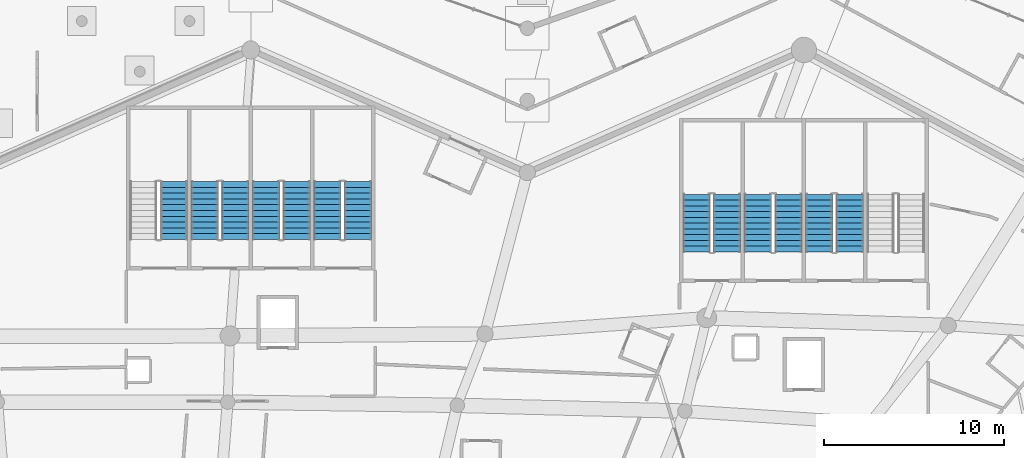
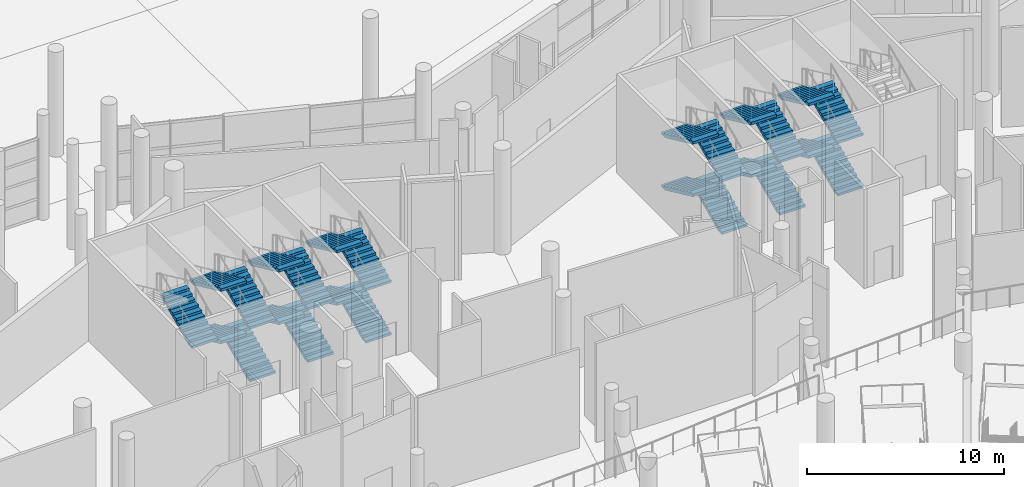
# One storey, part 180 of 255: 25 stair flights, 7 elements without a shape of their own.
"""IFC4 building model written with IfcOpenShell, lengths in metres."""

from ifc_helpers import new_model, si_unit, direction, frame, origin, place, context, subcontext, project, spatial, polyline, outline, extrude, material, type_object, element, aggregate, save


model = new_model("IFC4")

# Units and contexts
model_context = context("Model", 3, precision=1e-05, world=origin(), true_north=direction((0.0, 1.0)))
body_context = subcontext(model_context, "Body", "Model", "MODEL_VIEW")
ifc_project = project(units=[si_unit("LENGTHUNIT", "METRE"), si_unit("AREAUNIT", "SQUARE_METRE"), si_unit("VOLUMEUNIT", "CUBIC_METRE"), si_unit("PLANEANGLEUNIT", "RADIAN"), si_unit("MASSUNIT", "GRAM", prefix="KILO")], contexts=[model_context])

# Site, building, storey
site_placement = place(None, origin())
site = spatial("IfcSite", under=ifc_project, at=site_placement, CompositionType="ELEMENT")
building_placement = place(site_placement, origin())
building = spatial("IfcBuilding", under=site, at=building_placement, Name="Meseta Stadium", CompositionType="ELEMENT")
storey_placement = place(building_placement, origin())
storey = spatial("IfcBuildingStorey", under=building, at=storey_placement, Name="L00", CompositionType="ELEMENT", Elevation=0.0)

# Stair, stair flights
ifc_material_1 = material(Name="Concrete C40/50", Category="concrete")
stair_type = type_object("IfcStairType", Name="Exit stair 4 flights 148 mm risers", PredefinedType="HALF_TURN_STAIR", material=ifc_material_1)
stair_1_placement = place(storey_placement, origin())
stair_1 = element("IfcStair", 1, at=stair_1_placement, inside=storey, type_object=stair_type, Name="ST34 L00", PredefinedType="HALF_TURN_STAIR")
ifc_material_2 = material(Name="Concrete C40/50", Category="concrete")
stair_flight_type = type_object("IfcStairFlightType", Name="Exit stair flight 148 mm risers, 4 per storey", PredefinedType="STRAIGHT", material=ifc_material_2)
stair_flight_1_placement = place(storey_placement, frame((40.88330078125, 94.199951171875, 0.0), z_axis=(0.0, 0.0, 1.0), x_axis=(0.0, 1.0, 0.0)))
stair_flight_1 = element("IfcStairFlight", 2, at=stair_flight_1_placement, type_object=stair_flight_type, Name="ST34 L00 flight 1", NumberOfRisers=11, NumberOfTreads=10, PredefinedType="STRAIGHT", RiserHeight=0.147727273, TreadLength=0.32, context=body_context, shape_type="SweptSolid", body=[
    extrude(outline(polyline([(0.0, 0.0), (0.0, 0.147705078125), (0.320068359375, 0.147705078125), (0.320068359375, 0.29541015625), (0.639892578125, 0.29541015625), (0.639892578125, 0.443115234375), (0.9599609375, 0.443115234375), (0.9599609375, 0.5908203125), (1.280029296875, 0.5908203125), (1.280029296875, 0.738525390625), (1.60009765625, 0.738525390625), (1.60009765625, 0.886474609375), (1.919921875, 0.886474609375), (1.919921875, 1.0341796875), (2.239990234375, 1.0341796875), (2.239990234375, 1.181884765625), (2.56005859375, 1.181884765625), (2.56005859375, 1.32958984375), (2.8798828125, 1.32958984375), (2.8798828125, 1.477294921875), (3.199951171875, 1.477294921875), (3.199951171875, 1.312255859375), (0.357666015625, 0.0), (0.0, 0.0)])), frame((0.0, 0.75, 0.0), z_axis=(0.0, -1.0, 0.0), x_axis=(1.0, 0.0, 0.0)), (0.0, 0.0, 1.0), 1.5),
])
stair_flight_2_placement = place(storey_placement, frame((39.183349609375, 97.39990234375, 1.625), z_axis=(0.0, 0.0, 1.0), x_axis=(0.0, -1.0, 0.0)))
stair_flight_2 = element("IfcStairFlight", 3, at=stair_flight_2_placement, type_object=stair_flight_type, Name="ST34 L00 flight 2", NumberOfRisers=11, NumberOfTreads=10, PredefinedType="STRAIGHT", RiserHeight=0.147727273, TreadLength=0.32, context=body_context, shape_type="SweptSolid", body=[
    extrude(outline(polyline([(0.0, 0.0), (0.0, 0.147705078125), (0.320068359375, 0.147705078125), (0.320068359375, 0.29541015625), (0.639892578125, 0.29541015625), (0.639892578125, 0.443115234375), (0.9599609375, 0.443115234375), (0.9599609375, 0.5908203125), (1.280029296875, 0.5908203125), (1.280029296875, 0.738525390625), (1.60009765625, 0.738525390625), (1.60009765625, 0.886474609375), (1.919921875, 0.886474609375), (1.919921875, 1.0341796875), (2.239990234375, 1.0341796875), (2.239990234375, 1.181884765625), (2.56005859375, 1.181884765625), (2.56005859375, 1.32958984375), (2.8798828125, 1.32958984375), (2.8798828125, 1.477294921875), (3.199951171875, 1.477294921875), (3.199951171875, 1.312255859375), (0.357666015625, 0.0), (0.0, 0.0)])), frame((0.0, 0.75, 0.0), z_axis=(0.0, -1.0, 0.0), x_axis=(1.0, 0.0, 0.0)), (0.0, 0.0, 1.0), 1.5),
])
stair_flight_3_placement = place(storey_placement, frame((40.88330078125, 94.199951171875, 3.25), z_axis=(0.0, 0.0, 1.0), x_axis=(0.0, 1.0, 0.0)))
stair_flight_3 = element("IfcStairFlight", 4, at=stair_flight_3_placement, type_object=stair_flight_type, Name="ST34 L00 flight 3", NumberOfRisers=11, NumberOfTreads=10, PredefinedType="STRAIGHT", RiserHeight=0.147727273, TreadLength=0.32, context=body_context, shape_type="SweptSolid", body=[
    extrude(outline(polyline([(0.0, 0.0), (0.0, 0.147705078125), (0.320068359375, 0.147705078125), (0.320068359375, 0.29541015625), (0.639892578125, 0.29541015625), (0.639892578125, 0.443115234375), (0.9599609375, 0.443115234375), (0.9599609375, 0.5908203125), (1.280029296875, 0.5908203125), (1.280029296875, 0.738525390625), (1.60009765625, 0.738525390625), (1.60009765625, 0.886474609375), (1.919921875, 0.886474609375), (1.919921875, 1.0341796875), (2.239990234375, 1.0341796875), (2.239990234375, 1.181884765625), (2.56005859375, 1.181884765625), (2.56005859375, 1.32958984375), (2.8798828125, 1.32958984375), (2.8798828125, 1.477294921875), (3.199951171875, 1.477294921875), (3.199951171875, 1.312255859375), (0.357666015625, 0.0), (0.0, 0.0)])), frame((0.0, 0.75, 0.0), z_axis=(0.0, -1.0, 0.0), x_axis=(1.0, 0.0, 0.0)), (0.0, 0.0, 1.0), 1.5),
])
stair_flight_4_placement = place(storey_placement, frame((39.183349609375, 97.39990234375, 4.875), z_axis=(0.0, 0.0, 1.0), x_axis=(0.0, -1.0, 0.0)))
stair_flight_4 = element("IfcStairFlight", 5, at=stair_flight_4_placement, type_object=stair_flight_type, Name="ST34 L00 flight 4", NumberOfRisers=11, NumberOfTreads=10, PredefinedType="STRAIGHT", RiserHeight=0.147727273, TreadLength=0.32, context=body_context, shape_type="SweptSolid", body=[
    extrude(outline(polyline([(0.0, 0.0), (0.0, 0.147705078125), (0.320068359375, 0.147705078125), (0.320068359375, 0.29541015625), (0.639892578125, 0.29541015625), (0.639892578125, 0.443115234375), (0.9599609375, 0.443115234375), (0.9599609375, 0.5908203125), (1.280029296875, 0.5908203125), (1.280029296875, 0.738525390625), (1.60009765625, 0.738525390625), (1.60009765625, 0.886474609375), (1.919921875, 0.886474609375), (1.919921875, 1.0341796875), (2.239990234375, 1.0341796875), (2.239990234375, 1.181884765625), (2.56005859375, 1.181884765625), (2.56005859375, 1.32958984375), (2.8798828125, 1.32958984375), (2.8798828125, 1.477294921875), (3.199951171875, 1.477294921875), (3.199951171875, 1.312255859375), (0.357666015625, 0.0), (0.0, 0.0)])), frame((0.0, 0.75, 0.0), z_axis=(0.0, -1.0, 0.0), x_axis=(1.0, 0.0, 0.0)), (0.0, 0.0, 1.0), 1.5),
])
aggregate(stair_1, [stair_flight_1, stair_flight_2, stair_flight_3, stair_flight_4])

stair_2_placement = place(storey_placement, origin())
stair_2 = element("IfcStair", 6, at=stair_2_placement, inside=storey, type_object=stair_type, Name="ST35 L00", PredefinedType="HALF_TURN_STAIR")
stair_flight_5_placement = place(storey_placement, frame((37.4833984375, 94.199951171875, 0.0), z_axis=(0.0, 0.0, 1.0), x_axis=(0.0, 1.0, 0.0)))
stair_flight_5 = element("IfcStairFlight", 7, at=stair_flight_5_placement, type_object=stair_flight_type, Name="ST35 L00 flight 1", NumberOfRisers=11, NumberOfTreads=10, PredefinedType="STRAIGHT", RiserHeight=0.147727273, TreadLength=0.32, context=body_context, shape_type="SweptSolid", body=[
    extrude(outline(polyline([(0.0, 0.0), (0.0, 0.147705078125), (0.320068359375, 0.147705078125), (0.320068359375, 0.29541015625), (0.639892578125, 0.29541015625), (0.639892578125, 0.443115234375), (0.9599609375, 0.443115234375), (0.9599609375, 0.5908203125), (1.280029296875, 0.5908203125), (1.280029296875, 0.738525390625), (1.60009765625, 0.738525390625), (1.60009765625, 0.886474609375), (1.919921875, 0.886474609375), (1.919921875, 1.0341796875), (2.239990234375, 1.0341796875), (2.239990234375, 1.181884765625), (2.56005859375, 1.181884765625), (2.56005859375, 1.32958984375), (2.8798828125, 1.32958984375), (2.8798828125, 1.477294921875), (3.199951171875, 1.477294921875), (3.199951171875, 1.312255859375), (0.357666015625, 0.0), (0.0, 0.0)])), frame((0.0, 0.75, 0.0), z_axis=(0.0, -1.0, 0.0), x_axis=(1.0, 0.0, 0.0)), (0.0, 0.0, 1.0), 1.5),
])
stair_flight_6_placement = place(storey_placement, frame((35.783447265625, 97.39990234375, 1.625), z_axis=(0.0, 0.0, 1.0), x_axis=(0.0, -1.0, 0.0)))
stair_flight_6 = element("IfcStairFlight", 8, at=stair_flight_6_placement, type_object=stair_flight_type, Name="ST35 L00 flight 2", NumberOfRisers=11, NumberOfTreads=10, PredefinedType="STRAIGHT", RiserHeight=0.147727273, TreadLength=0.32, context=body_context, shape_type="SweptSolid", body=[
    extrude(outline(polyline([(0.0, 0.0), (0.0, 0.147705078125), (0.320068359375, 0.147705078125), (0.320068359375, 0.29541015625), (0.639892578125, 0.29541015625), (0.639892578125, 0.443115234375), (0.9599609375, 0.443115234375), (0.9599609375, 0.5908203125), (1.280029296875, 0.5908203125), (1.280029296875, 0.738525390625), (1.60009765625, 0.738525390625), (1.60009765625, 0.886474609375), (1.919921875, 0.886474609375), (1.919921875, 1.0341796875), (2.239990234375, 1.0341796875), (2.239990234375, 1.181884765625), (2.56005859375, 1.181884765625), (2.56005859375, 1.32958984375), (2.8798828125, 1.32958984375), (2.8798828125, 1.477294921875), (3.199951171875, 1.477294921875), (3.199951171875, 1.312255859375), (0.357666015625, 0.0), (0.0, 0.0)])), frame((0.0, 0.75, 0.0), z_axis=(0.0, -1.0, 0.0), x_axis=(1.0, 0.0, 0.0)), (0.0, 0.0, 1.0), 1.5),
])
stair_flight_7_placement = place(storey_placement, frame((37.4833984375, 94.199951171875, 3.25), z_axis=(0.0, 0.0, 1.0), x_axis=(0.0, 1.0, 0.0)))
stair_flight_7 = element("IfcStairFlight", 9, at=stair_flight_7_placement, type_object=stair_flight_type, Name="ST35 L00 flight 3", NumberOfRisers=11, NumberOfTreads=10, PredefinedType="STRAIGHT", RiserHeight=0.147727273, TreadLength=0.32, context=body_context, shape_type="SweptSolid", body=[
    extrude(outline(polyline([(0.0, 0.0), (0.0, 0.147705078125), (0.320068359375, 0.147705078125), (0.320068359375, 0.29541015625), (0.639892578125, 0.29541015625), (0.639892578125, 0.443115234375), (0.9599609375, 0.443115234375), (0.9599609375, 0.5908203125), (1.280029296875, 0.5908203125), (1.280029296875, 0.738525390625), (1.60009765625, 0.738525390625), (1.60009765625, 0.886474609375), (1.919921875, 0.886474609375), (1.919921875, 1.0341796875), (2.239990234375, 1.0341796875), (2.239990234375, 1.181884765625), (2.56005859375, 1.181884765625), (2.56005859375, 1.32958984375), (2.8798828125, 1.32958984375), (2.8798828125, 1.477294921875), (3.199951171875, 1.477294921875), (3.199951171875, 1.312255859375), (0.357666015625, 0.0), (0.0, 0.0)])), frame((0.0, 0.75, 0.0), z_axis=(0.0, -1.0, 0.0), x_axis=(1.0, 0.0, 0.0)), (0.0, 0.0, 1.0), 1.5),
])
stair_flight_8_placement = place(storey_placement, frame((35.783447265625, 97.39990234375, 4.875), z_axis=(0.0, 0.0, 1.0), x_axis=(0.0, -1.0, 0.0)))
stair_flight_8 = element("IfcStairFlight", 10, at=stair_flight_8_placement, type_object=stair_flight_type, Name="ST35 L00 flight 4", NumberOfRisers=11, NumberOfTreads=10, PredefinedType="STRAIGHT", RiserHeight=0.147727273, TreadLength=0.32, context=body_context, shape_type="SweptSolid", body=[
    extrude(outline(polyline([(0.0, 0.0), (0.0, 0.147705078125), (0.320068359375, 0.147705078125), (0.320068359375, 0.29541015625), (0.639892578125, 0.29541015625), (0.639892578125, 0.443115234375), (0.9599609375, 0.443115234375), (0.9599609375, 0.5908203125), (1.280029296875, 0.5908203125), (1.280029296875, 0.738525390625), (1.60009765625, 0.738525390625), (1.60009765625, 0.886474609375), (1.919921875, 0.886474609375), (1.919921875, 1.0341796875), (2.239990234375, 1.0341796875), (2.239990234375, 1.181884765625), (2.56005859375, 1.181884765625), (2.56005859375, 1.32958984375), (2.8798828125, 1.32958984375), (2.8798828125, 1.477294921875), (3.199951171875, 1.477294921875), (3.199951171875, 1.312255859375), (0.357666015625, 0.0), (0.0, 0.0)])), frame((0.0, 0.75, 0.0), z_axis=(0.0, -1.0, 0.0), x_axis=(1.0, 0.0, 0.0)), (0.0, 0.0, 1.0), 1.5),
])
aggregate(stair_2, [stair_flight_5, stair_flight_6, stair_flight_7, stair_flight_8])

stair_3_placement = place(storey_placement, origin())
stair_3 = element("IfcStair", 11, at=stair_3_placement, inside=storey, type_object=stair_type, Name="ST36 L00", PredefinedType="HALF_TURN_STAIR")
stair_flight_9_placement = place(storey_placement, frame((34.083251953125, 94.199951171875, 0.0), z_axis=(0.0, 0.0, 1.0), x_axis=(0.0, 1.0, 0.0)))
stair_flight_9 = element("IfcStairFlight", 12, at=stair_flight_9_placement, type_object=stair_flight_type, Name="ST36 L00 flight 1", NumberOfRisers=11, NumberOfTreads=10, PredefinedType="STRAIGHT", RiserHeight=0.147727273, TreadLength=0.32, context=body_context, shape_type="SweptSolid", body=[
    extrude(outline(polyline([(0.0, 0.0), (0.0, 0.147705078125), (0.320068359375, 0.147705078125), (0.320068359375, 0.29541015625), (0.639892578125, 0.29541015625), (0.639892578125, 0.443115234375), (0.9599609375, 0.443115234375), (0.9599609375, 0.5908203125), (1.280029296875, 0.5908203125), (1.280029296875, 0.738525390625), (1.60009765625, 0.738525390625), (1.60009765625, 0.886474609375), (1.919921875, 0.886474609375), (1.919921875, 1.0341796875), (2.239990234375, 1.0341796875), (2.239990234375, 1.181884765625), (2.56005859375, 1.181884765625), (2.56005859375, 1.32958984375), (2.8798828125, 1.32958984375), (2.8798828125, 1.477294921875), (3.199951171875, 1.477294921875), (3.199951171875, 1.312255859375), (0.357666015625, 0.0), (0.0, 0.0)])), frame((0.0, 0.75, 0.0), z_axis=(0.0, -1.0, 0.0), x_axis=(1.0, 0.0, 0.0)), (0.0, 0.0, 1.0), 1.5),
])
stair_flight_10_placement = place(storey_placement, frame((32.38330078125, 97.39990234375, 1.625), z_axis=(0.0, 0.0, 1.0), x_axis=(0.0, -1.0, 0.0)))
stair_flight_10 = element("IfcStairFlight", 13, at=stair_flight_10_placement, type_object=stair_flight_type, Name="ST36 L00 flight 2", NumberOfRisers=11, NumberOfTreads=10, PredefinedType="STRAIGHT", RiserHeight=0.147727273, TreadLength=0.32, context=body_context, shape_type="SweptSolid", body=[
    extrude(outline(polyline([(0.0, 0.0), (0.0, 0.147705078125), (0.320068359375, 0.147705078125), (0.320068359375, 0.29541015625), (0.639892578125, 0.29541015625), (0.639892578125, 0.443115234375), (0.9599609375, 0.443115234375), (0.9599609375, 0.5908203125), (1.280029296875, 0.5908203125), (1.280029296875, 0.738525390625), (1.60009765625, 0.738525390625), (1.60009765625, 0.886474609375), (1.919921875, 0.886474609375), (1.919921875, 1.0341796875), (2.239990234375, 1.0341796875), (2.239990234375, 1.181884765625), (2.56005859375, 1.181884765625), (2.56005859375, 1.32958984375), (2.8798828125, 1.32958984375), (2.8798828125, 1.477294921875), (3.199951171875, 1.477294921875), (3.199951171875, 1.312255859375), (0.357666015625, 0.0), (0.0, 0.0)])), frame((0.0, 0.75, 0.0), z_axis=(0.0, -1.0, 0.0), x_axis=(1.0, 0.0, 0.0)), (0.0, 0.0, 1.0), 1.5),
])
stair_flight_11_placement = place(storey_placement, frame((34.083251953125, 94.199951171875, 3.25), z_axis=(0.0, 0.0, 1.0), x_axis=(0.0, 1.0, 0.0)))
stair_flight_11 = element("IfcStairFlight", 14, at=stair_flight_11_placement, type_object=stair_flight_type, Name="ST36 L00 flight 3", NumberOfRisers=11, NumberOfTreads=10, PredefinedType="STRAIGHT", RiserHeight=0.147727273, TreadLength=0.32, context=body_context, shape_type="SweptSolid", body=[
    extrude(outline(polyline([(0.0, 0.0), (0.0, 0.147705078125), (0.320068359375, 0.147705078125), (0.320068359375, 0.29541015625), (0.639892578125, 0.29541015625), (0.639892578125, 0.443115234375), (0.9599609375, 0.443115234375), (0.9599609375, 0.5908203125), (1.280029296875, 0.5908203125), (1.280029296875, 0.738525390625), (1.60009765625, 0.738525390625), (1.60009765625, 0.886474609375), (1.919921875, 0.886474609375), (1.919921875, 1.0341796875), (2.239990234375, 1.0341796875), (2.239990234375, 1.181884765625), (2.56005859375, 1.181884765625), (2.56005859375, 1.32958984375), (2.8798828125, 1.32958984375), (2.8798828125, 1.477294921875), (3.199951171875, 1.477294921875), (3.199951171875, 1.312255859375), (0.357666015625, 0.0), (0.0, 0.0)])), frame((0.0, 0.75, 0.0), z_axis=(0.0, -1.0, 0.0), x_axis=(1.0, 0.0, 0.0)), (0.0, 0.0, 1.0), 1.5),
])
stair_flight_12_placement = place(storey_placement, frame((32.38330078125, 97.39990234375, 4.875), z_axis=(0.0, 0.0, 1.0), x_axis=(0.0, -1.0, 0.0)))
stair_flight_12 = element("IfcStairFlight", 15, at=stair_flight_12_placement, type_object=stair_flight_type, Name="ST36 L00 flight 4", NumberOfRisers=11, NumberOfTreads=10, PredefinedType="STRAIGHT", RiserHeight=0.147727273, TreadLength=0.32, context=body_context, shape_type="SweptSolid", body=[
    extrude(outline(polyline([(0.0, 0.0), (0.0, 0.147705078125), (0.320068359375, 0.147705078125), (0.320068359375, 0.29541015625), (0.639892578125, 0.29541015625), (0.639892578125, 0.443115234375), (0.9599609375, 0.443115234375), (0.9599609375, 0.5908203125), (1.280029296875, 0.5908203125), (1.280029296875, 0.738525390625), (1.60009765625, 0.738525390625), (1.60009765625, 0.886474609375), (1.919921875, 0.886474609375), (1.919921875, 1.0341796875), (2.239990234375, 1.0341796875), (2.239990234375, 1.181884765625), (2.56005859375, 1.181884765625), (2.56005859375, 1.32958984375), (2.8798828125, 1.32958984375), (2.8798828125, 1.477294921875), (3.199951171875, 1.477294921875), (3.199951171875, 1.312255859375), (0.357666015625, 0.0), (0.0, 0.0)])), frame((0.0, 0.75, 0.0), z_axis=(0.0, -1.0, 0.0), x_axis=(1.0, 0.0, 0.0)), (0.0, 0.0, 1.0), 1.5),
])
aggregate(stair_3, [stair_flight_9, stair_flight_10, stair_flight_11, stair_flight_12])

stair_4_placement = place(storey_placement, origin())
stair_4 = element("IfcStair", 16, at=stair_4_placement, inside=storey, type_object=stair_type, Name="ST37 L00", PredefinedType="HALF_TURN_STAIR")
stair_flight_13_placement = place(storey_placement, frame((13.61669921875, 94.89990234375, 0.0), z_axis=(0.0, 0.0, 1.0), x_axis=(0.0, 1.0, 0.0)))
stair_flight_13 = element("IfcStairFlight", 17, at=stair_flight_13_placement, type_object=stair_flight_type, Name="ST37 L00 flight 1", NumberOfRisers=11, NumberOfTreads=10, PredefinedType="STRAIGHT", RiserHeight=0.147727273, TreadLength=0.32, context=body_context, shape_type="SweptSolid", body=[
    extrude(outline(polyline([(0.0, 0.0), (0.0, 0.147705078125), (0.320068359375, 0.147705078125), (0.320068359375, 0.29541015625), (0.639892578125, 0.29541015625), (0.639892578125, 0.443115234375), (0.9599609375, 0.443115234375), (0.9599609375, 0.5908203125), (1.280029296875, 0.5908203125), (1.280029296875, 0.738525390625), (1.60009765625, 0.738525390625), (1.60009765625, 0.886474609375), (1.919921875, 0.886474609375), (1.919921875, 1.0341796875), (2.239990234375, 1.0341796875), (2.239990234375, 1.181884765625), (2.56005859375, 1.181884765625), (2.56005859375, 1.32958984375), (2.8798828125, 1.32958984375), (2.8798828125, 1.477294921875), (3.199951171875, 1.477294921875), (3.199951171875, 1.312255859375), (0.357666015625, 0.0), (0.0, 0.0)])), frame((0.0, 0.75, 0.0), z_axis=(0.0, -1.0, 0.0), x_axis=(1.0, 0.0, 0.0)), (0.0, 0.0, 1.0), 1.5),
])
stair_flight_14_placement = place(storey_placement, frame((11.916748046875, 98.10009765625, 1.625), z_axis=(0.0, 0.0, 1.0), x_axis=(0.0, -1.0, 0.0)))
stair_flight_14 = element("IfcStairFlight", 18, at=stair_flight_14_placement, type_object=stair_flight_type, Name="ST37 L00 flight 2", NumberOfRisers=11, NumberOfTreads=10, PredefinedType="STRAIGHT", RiserHeight=0.147727273, TreadLength=0.32, context=body_context, shape_type="SweptSolid", body=[
    extrude(outline(polyline([(0.0, 0.0), (0.0, 0.147705078125), (0.320068359375, 0.147705078125), (0.320068359375, 0.29541015625), (0.639892578125, 0.29541015625), (0.639892578125, 0.443115234375), (0.9599609375, 0.443115234375), (0.9599609375, 0.5908203125), (1.280029296875, 0.5908203125), (1.280029296875, 0.738525390625), (1.60009765625, 0.738525390625), (1.60009765625, 0.886474609375), (1.919921875, 0.886474609375), (1.919921875, 1.0341796875), (2.239990234375, 1.0341796875), (2.239990234375, 1.181884765625), (2.56005859375, 1.181884765625), (2.56005859375, 1.32958984375), (2.8798828125, 1.32958984375), (2.8798828125, 1.477294921875), (3.199951171875, 1.477294921875), (3.199951171875, 1.312255859375), (0.357666015625, 0.0), (0.0, 0.0)])), frame((0.0, 0.75, 0.0), z_axis=(0.0, -1.0, 0.0), x_axis=(1.0, 0.0, 0.0)), (0.0, 0.0, 1.0), 1.5),
])
stair_flight_15_placement = place(storey_placement, frame((13.61669921875, 94.89990234375, 3.25), z_axis=(0.0, 0.0, 1.0), x_axis=(0.0, 1.0, 0.0)))
stair_flight_15 = element("IfcStairFlight", 19, at=stair_flight_15_placement, type_object=stair_flight_type, Name="ST37 L00 flight 3", NumberOfRisers=11, NumberOfTreads=10, PredefinedType="STRAIGHT", RiserHeight=0.147727273, TreadLength=0.32, context=body_context, shape_type="SweptSolid", body=[
    extrude(outline(polyline([(0.0, 0.0), (0.0, 0.147705078125), (0.320068359375, 0.147705078125), (0.320068359375, 0.29541015625), (0.639892578125, 0.29541015625), (0.639892578125, 0.443115234375), (0.9599609375, 0.443115234375), (0.9599609375, 0.5908203125), (1.280029296875, 0.5908203125), (1.280029296875, 0.738525390625), (1.60009765625, 0.738525390625), (1.60009765625, 0.886474609375), (1.919921875, 0.886474609375), (1.919921875, 1.0341796875), (2.239990234375, 1.0341796875), (2.239990234375, 1.181884765625), (2.56005859375, 1.181884765625), (2.56005859375, 1.32958984375), (2.8798828125, 1.32958984375), (2.8798828125, 1.477294921875), (3.199951171875, 1.477294921875), (3.199951171875, 1.312255859375), (0.357666015625, 0.0), (0.0, 0.0)])), frame((0.0, 0.75, 0.0), z_axis=(0.0, -1.0, 0.0), x_axis=(1.0, 0.0, 0.0)), (0.0, 0.0, 1.0), 1.5),
])
stair_flight_16_placement = place(storey_placement, frame((11.916748046875, 98.10009765625, 4.875), z_axis=(0.0, 0.0, 1.0), x_axis=(0.0, -1.0, 0.0)))
stair_flight_16 = element("IfcStairFlight", 20, at=stair_flight_16_placement, type_object=stair_flight_type, Name="ST37 L00 flight 4", NumberOfRisers=11, NumberOfTreads=10, PredefinedType="STRAIGHT", RiserHeight=0.147727273, TreadLength=0.32, context=body_context, shape_type="SweptSolid", body=[
    extrude(outline(polyline([(0.0, 0.0), (0.0, 0.147705078125), (0.320068359375, 0.147705078125), (0.320068359375, 0.29541015625), (0.639892578125, 0.29541015625), (0.639892578125, 0.443115234375), (0.9599609375, 0.443115234375), (0.9599609375, 0.5908203125), (1.280029296875, 0.5908203125), (1.280029296875, 0.738525390625), (1.60009765625, 0.738525390625), (1.60009765625, 0.886474609375), (1.919921875, 0.886474609375), (1.919921875, 1.0341796875), (2.239990234375, 1.0341796875), (2.239990234375, 1.181884765625), (2.56005859375, 1.181884765625), (2.56005859375, 1.32958984375), (2.8798828125, 1.32958984375), (2.8798828125, 1.477294921875), (3.199951171875, 1.477294921875), (3.199951171875, 1.312255859375), (0.357666015625, 0.0), (0.0, 0.0)])), frame((0.0, 0.75, 0.0), z_axis=(0.0, -1.0, 0.0), x_axis=(1.0, 0.0, 0.0)), (0.0, 0.0, 1.0), 1.5),
])
aggregate(stair_4, [stair_flight_13, stair_flight_14, stair_flight_15, stair_flight_16])

stair_5_placement = place(storey_placement, origin())
stair_5 = element("IfcStair", 21, at=stair_5_placement, inside=storey, type_object=stair_type, Name="ST38 L00", PredefinedType="HALF_TURN_STAIR")
stair_flight_17_placement = place(storey_placement, frame((10.216552734375, 94.89990234375, 0.0), z_axis=(0.0, 0.0, 1.0), x_axis=(0.0, 1.0, 0.0)))
stair_flight_17 = element("IfcStairFlight", 22, at=stair_flight_17_placement, type_object=stair_flight_type, Name="ST38 L00 flight 1", NumberOfRisers=11, NumberOfTreads=10, PredefinedType="STRAIGHT", RiserHeight=0.147727273, TreadLength=0.32, context=body_context, shape_type="SweptSolid", body=[
    extrude(outline(polyline([(0.0, 0.0), (0.0, 0.147705078125), (0.320068359375, 0.147705078125), (0.320068359375, 0.29541015625), (0.639892578125, 0.29541015625), (0.639892578125, 0.443115234375), (0.9599609375, 0.443115234375), (0.9599609375, 0.5908203125), (1.280029296875, 0.5908203125), (1.280029296875, 0.738525390625), (1.60009765625, 0.738525390625), (1.60009765625, 0.886474609375), (1.919921875, 0.886474609375), (1.919921875, 1.0341796875), (2.239990234375, 1.0341796875), (2.239990234375, 1.181884765625), (2.56005859375, 1.181884765625), (2.56005859375, 1.32958984375), (2.8798828125, 1.32958984375), (2.8798828125, 1.477294921875), (3.199951171875, 1.477294921875), (3.199951171875, 1.312255859375), (0.357666015625, 0.0), (0.0, 0.0)])), frame((0.0, 0.75, 0.0), z_axis=(0.0, -1.0, 0.0), x_axis=(1.0, 0.0, 0.0)), (0.0, 0.0, 1.0), 1.5),
])
stair_flight_18_placement = place(storey_placement, frame((8.5166015625, 98.10009765625, 1.625), z_axis=(0.0, 0.0, 1.0), x_axis=(0.0, -1.0, 0.0)))
stair_flight_18 = element("IfcStairFlight", 23, at=stair_flight_18_placement, type_object=stair_flight_type, Name="ST38 L00 flight 2", NumberOfRisers=11, NumberOfTreads=10, PredefinedType="STRAIGHT", RiserHeight=0.147727273, TreadLength=0.32, context=body_context, shape_type="SweptSolid", body=[
    extrude(outline(polyline([(0.0, 0.0), (0.0, 0.147705078125), (0.320068359375, 0.147705078125), (0.320068359375, 0.29541015625), (0.639892578125, 0.29541015625), (0.639892578125, 0.443115234375), (0.9599609375, 0.443115234375), (0.9599609375, 0.5908203125), (1.280029296875, 0.5908203125), (1.280029296875, 0.738525390625), (1.60009765625, 0.738525390625), (1.60009765625, 0.886474609375), (1.919921875, 0.886474609375), (1.919921875, 1.0341796875), (2.239990234375, 1.0341796875), (2.239990234375, 1.181884765625), (2.56005859375, 1.181884765625), (2.56005859375, 1.32958984375), (2.8798828125, 1.32958984375), (2.8798828125, 1.477294921875), (3.199951171875, 1.477294921875), (3.199951171875, 1.312255859375), (0.357666015625, 0.0), (0.0, 0.0)])), frame((0.0, 0.75, 0.0), z_axis=(0.0, -1.0, 0.0), x_axis=(1.0, 0.0, 0.0)), (0.0, 0.0, 1.0), 1.5),
])
stair_flight_19_placement = place(storey_placement, frame((10.216552734375, 94.89990234375, 3.25), z_axis=(0.0, 0.0, 1.0), x_axis=(0.0, 1.0, 0.0)))
stair_flight_19 = element("IfcStairFlight", 24, at=stair_flight_19_placement, type_object=stair_flight_type, Name="ST38 L00 flight 3", NumberOfRisers=11, NumberOfTreads=10, PredefinedType="STRAIGHT", RiserHeight=0.147727273, TreadLength=0.32, context=body_context, shape_type="SweptSolid", body=[
    extrude(outline(polyline([(0.0, 0.0), (0.0, 0.147705078125), (0.320068359375, 0.147705078125), (0.320068359375, 0.29541015625), (0.639892578125, 0.29541015625), (0.639892578125, 0.443115234375), (0.9599609375, 0.443115234375), (0.9599609375, 0.5908203125), (1.280029296875, 0.5908203125), (1.280029296875, 0.738525390625), (1.60009765625, 0.738525390625), (1.60009765625, 0.886474609375), (1.919921875, 0.886474609375), (1.919921875, 1.0341796875), (2.239990234375, 1.0341796875), (2.239990234375, 1.181884765625), (2.56005859375, 1.181884765625), (2.56005859375, 1.32958984375), (2.8798828125, 1.32958984375), (2.8798828125, 1.477294921875), (3.199951171875, 1.477294921875), (3.199951171875, 1.312255859375), (0.357666015625, 0.0), (0.0, 0.0)])), frame((0.0, 0.75, 0.0), z_axis=(0.0, -1.0, 0.0), x_axis=(1.0, 0.0, 0.0)), (0.0, 0.0, 1.0), 1.5),
])
stair_flight_20_placement = place(storey_placement, frame((8.5166015625, 98.10009765625, 4.875), z_axis=(0.0, 0.0, 1.0), x_axis=(0.0, -1.0, 0.0)))
stair_flight_20 = element("IfcStairFlight", 25, at=stair_flight_20_placement, type_object=stair_flight_type, Name="ST38 L00 flight 4", NumberOfRisers=11, NumberOfTreads=10, PredefinedType="STRAIGHT", RiserHeight=0.147727273, TreadLength=0.32, context=body_context, shape_type="SweptSolid", body=[
    extrude(outline(polyline([(0.0, 0.0), (0.0, 0.147705078125), (0.320068359375, 0.147705078125), (0.320068359375, 0.29541015625), (0.639892578125, 0.29541015625), (0.639892578125, 0.443115234375), (0.9599609375, 0.443115234375), (0.9599609375, 0.5908203125), (1.280029296875, 0.5908203125), (1.280029296875, 0.738525390625), (1.60009765625, 0.738525390625), (1.60009765625, 0.886474609375), (1.919921875, 0.886474609375), (1.919921875, 1.0341796875), (2.239990234375, 1.0341796875), (2.239990234375, 1.181884765625), (2.56005859375, 1.181884765625), (2.56005859375, 1.32958984375), (2.8798828125, 1.32958984375), (2.8798828125, 1.477294921875), (3.199951171875, 1.477294921875), (3.199951171875, 1.312255859375), (0.357666015625, 0.0), (0.0, 0.0)])), frame((0.0, 0.75, 0.0), z_axis=(0.0, -1.0, 0.0), x_axis=(1.0, 0.0, 0.0)), (0.0, 0.0, 1.0), 1.5),
])
aggregate(stair_5, [stair_flight_17, stair_flight_18, stair_flight_19, stair_flight_20])

stair_6_placement = place(storey_placement, origin())
stair_6 = element("IfcStair", 26, at=stair_6_placement, inside=storey, type_object=stair_type, Name="ST39 L00", PredefinedType="HALF_TURN_STAIR")
stair_flight_21_placement = place(storey_placement, frame((6.816650390625, 94.89990234375, 0.0), z_axis=(0.0, 0.0, 1.0), x_axis=(0.0, 1.0, 0.0)))
stair_flight_21 = element("IfcStairFlight", 27, at=stair_flight_21_placement, type_object=stair_flight_type, Name="ST39 L00 flight 1", NumberOfRisers=11, NumberOfTreads=10, PredefinedType="STRAIGHT", RiserHeight=0.147727273, TreadLength=0.32, context=body_context, shape_type="SweptSolid", body=[
    extrude(outline(polyline([(0.0, 0.0), (0.0, 0.147705078125), (0.320068359375, 0.147705078125), (0.320068359375, 0.29541015625), (0.639892578125, 0.29541015625), (0.639892578125, 0.443115234375), (0.9599609375, 0.443115234375), (0.9599609375, 0.5908203125), (1.280029296875, 0.5908203125), (1.280029296875, 0.738525390625), (1.60009765625, 0.738525390625), (1.60009765625, 0.886474609375), (1.919921875, 0.886474609375), (1.919921875, 1.0341796875), (2.239990234375, 1.0341796875), (2.239990234375, 1.181884765625), (2.56005859375, 1.181884765625), (2.56005859375, 1.32958984375), (2.8798828125, 1.32958984375), (2.8798828125, 1.477294921875), (3.199951171875, 1.477294921875), (3.199951171875, 1.312255859375), (0.357666015625, 0.0), (0.0, 0.0)])), frame((0.0, 0.75, 0.0), z_axis=(0.0, -1.0, 0.0), x_axis=(1.0, 0.0, 0.0)), (0.0, 0.0, 1.0), 1.5),
])
stair_flight_22_placement = place(storey_placement, frame((5.11669921875, 98.10009765625, 1.625), z_axis=(0.0, 0.0, 1.0), x_axis=(0.0, -1.0, 0.0)))
stair_flight_22 = element("IfcStairFlight", 28, at=stair_flight_22_placement, type_object=stair_flight_type, Name="ST39 L00 flight 2", NumberOfRisers=11, NumberOfTreads=10, PredefinedType="STRAIGHT", RiserHeight=0.147727273, TreadLength=0.32, context=body_context, shape_type="SweptSolid", body=[
    extrude(outline(polyline([(0.0, 0.0), (0.0, 0.147705078125), (0.320068359375, 0.147705078125), (0.320068359375, 0.29541015625), (0.639892578125, 0.29541015625), (0.639892578125, 0.443115234375), (0.9599609375, 0.443115234375), (0.9599609375, 0.5908203125), (1.280029296875, 0.5908203125), (1.280029296875, 0.738525390625), (1.60009765625, 0.738525390625), (1.60009765625, 0.886474609375), (1.919921875, 0.886474609375), (1.919921875, 1.0341796875), (2.239990234375, 1.0341796875), (2.239990234375, 1.181884765625), (2.56005859375, 1.181884765625), (2.56005859375, 1.32958984375), (2.8798828125, 1.32958984375), (2.8798828125, 1.477294921875), (3.199951171875, 1.477294921875), (3.199951171875, 1.312255859375), (0.357666015625, 0.0), (0.0, 0.0)])), frame((0.0, 0.75, 0.0), z_axis=(0.0, -1.0, 0.0), x_axis=(1.0, 0.0, 0.0)), (0.0, 0.0, 1.0), 1.5),
])
stair_flight_23_placement = place(storey_placement, frame((6.816650390625, 94.89990234375, 3.25), z_axis=(0.0, 0.0, 1.0), x_axis=(0.0, 1.0, 0.0)))
stair_flight_23 = element("IfcStairFlight", 29, at=stair_flight_23_placement, type_object=stair_flight_type, Name="ST39 L00 flight 3", NumberOfRisers=11, NumberOfTreads=10, PredefinedType="STRAIGHT", RiserHeight=0.147727273, TreadLength=0.32, context=body_context, shape_type="SweptSolid", body=[
    extrude(outline(polyline([(0.0, 0.0), (0.0, 0.147705078125), (0.320068359375, 0.147705078125), (0.320068359375, 0.29541015625), (0.639892578125, 0.29541015625), (0.639892578125, 0.443115234375), (0.9599609375, 0.443115234375), (0.9599609375, 0.5908203125), (1.280029296875, 0.5908203125), (1.280029296875, 0.738525390625), (1.60009765625, 0.738525390625), (1.60009765625, 0.886474609375), (1.919921875, 0.886474609375), (1.919921875, 1.0341796875), (2.239990234375, 1.0341796875), (2.239990234375, 1.181884765625), (2.56005859375, 1.181884765625), (2.56005859375, 1.32958984375), (2.8798828125, 1.32958984375), (2.8798828125, 1.477294921875), (3.199951171875, 1.477294921875), (3.199951171875, 1.312255859375), (0.357666015625, 0.0), (0.0, 0.0)])), frame((0.0, 0.75, 0.0), z_axis=(0.0, -1.0, 0.0), x_axis=(1.0, 0.0, 0.0)), (0.0, 0.0, 1.0), 1.5),
])
stair_flight_24_placement = place(storey_placement, frame((5.11669921875, 98.10009765625, 4.875), z_axis=(0.0, 0.0, 1.0), x_axis=(0.0, -1.0, 0.0)))
stair_flight_24 = element("IfcStairFlight", 30, at=stair_flight_24_placement, type_object=stair_flight_type, Name="ST39 L00 flight 4", NumberOfRisers=11, NumberOfTreads=10, PredefinedType="STRAIGHT", RiserHeight=0.147727273, TreadLength=0.32, context=body_context, shape_type="SweptSolid", body=[
    extrude(outline(polyline([(0.0, 0.0), (0.0, 0.147705078125), (0.320068359375, 0.147705078125), (0.320068359375, 0.29541015625), (0.639892578125, 0.29541015625), (0.639892578125, 0.443115234375), (0.9599609375, 0.443115234375), (0.9599609375, 0.5908203125), (1.280029296875, 0.5908203125), (1.280029296875, 0.738525390625), (1.60009765625, 0.738525390625), (1.60009765625, 0.886474609375), (1.919921875, 0.886474609375), (1.919921875, 1.0341796875), (2.239990234375, 1.0341796875), (2.239990234375, 1.181884765625), (2.56005859375, 1.181884765625), (2.56005859375, 1.32958984375), (2.8798828125, 1.32958984375), (2.8798828125, 1.477294921875), (3.199951171875, 1.477294921875), (3.199951171875, 1.312255859375), (0.357666015625, 0.0), (0.0, 0.0)])), frame((0.0, 0.75, 0.0), z_axis=(0.0, -1.0, 0.0), x_axis=(1.0, 0.0, 0.0)), (0.0, 0.0, 1.0), 1.5),
])
aggregate(stair_6, [stair_flight_21, stair_flight_22, stair_flight_23, stair_flight_24])

# Stair, stair flight
stair_7_placement = place(storey_placement, origin())
stair_7 = element("IfcStair", 31, at=stair_7_placement, inside=storey, type_object=stair_type, Name="ST40 L00", PredefinedType="HALF_TURN_STAIR")
stair_flight_25_placement = place(storey_placement, frame((3.416748046875, 94.89990234375, 3.25), z_axis=(0.0, 0.0, 1.0), x_axis=(0.0, 1.0, 0.0)))
stair_flight_25 = element("IfcStairFlight", 32, at=stair_flight_25_placement, type_object=stair_flight_type, Name="ST40 L00 flight 3", NumberOfRisers=11, NumberOfTreads=10, PredefinedType="STRAIGHT", RiserHeight=0.147727273, TreadLength=0.32, context=body_context, shape_type="SweptSolid", body=[
    extrude(outline(polyline([(0.0, 0.0), (0.0, 0.147705078125), (0.320068359375, 0.147705078125), (0.320068359375, 0.29541015625), (0.639892578125, 0.29541015625), (0.639892578125, 0.443115234375), (0.9599609375, 0.443115234375), (0.9599609375, 0.5908203125), (1.280029296875, 0.5908203125), (1.280029296875, 0.738525390625), (1.60009765625, 0.738525390625), (1.60009765625, 0.886474609375), (1.919921875, 0.886474609375), (1.919921875, 1.0341796875), (2.239990234375, 1.0341796875), (2.239990234375, 1.181884765625), (2.56005859375, 1.181884765625), (2.56005859375, 1.32958984375), (2.8798828125, 1.32958984375), (2.8798828125, 1.477294921875), (3.199951171875, 1.477294921875), (3.199951171875, 1.312255859375), (0.357666015625, 0.0), (0.0, 0.0)])), frame((0.0, 0.75, 0.0), z_axis=(0.0, -1.0, 0.0), x_axis=(1.0, 0.0, 0.0)), (0.0, 0.0, 1.0), 1.5),
])
aggregate(stair_7, [stair_flight_25])

save(model, "model.ifc")
